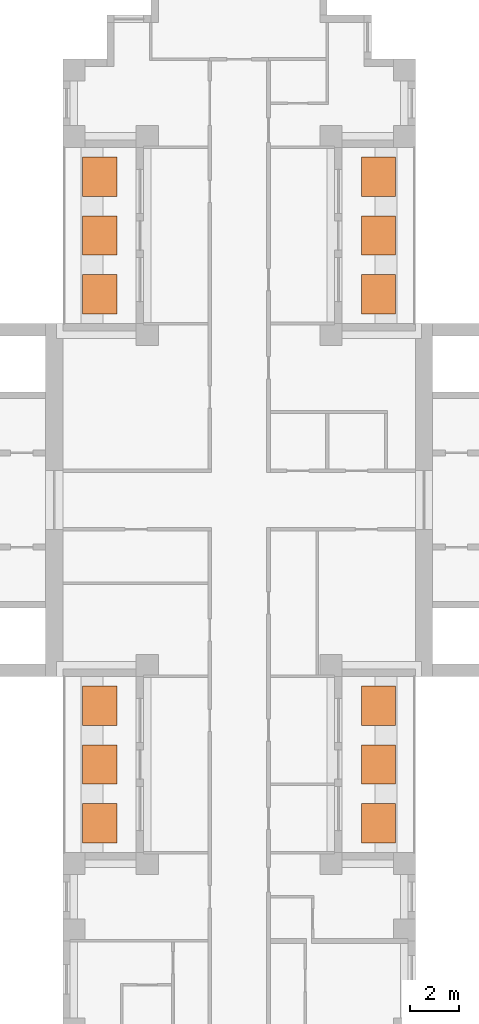
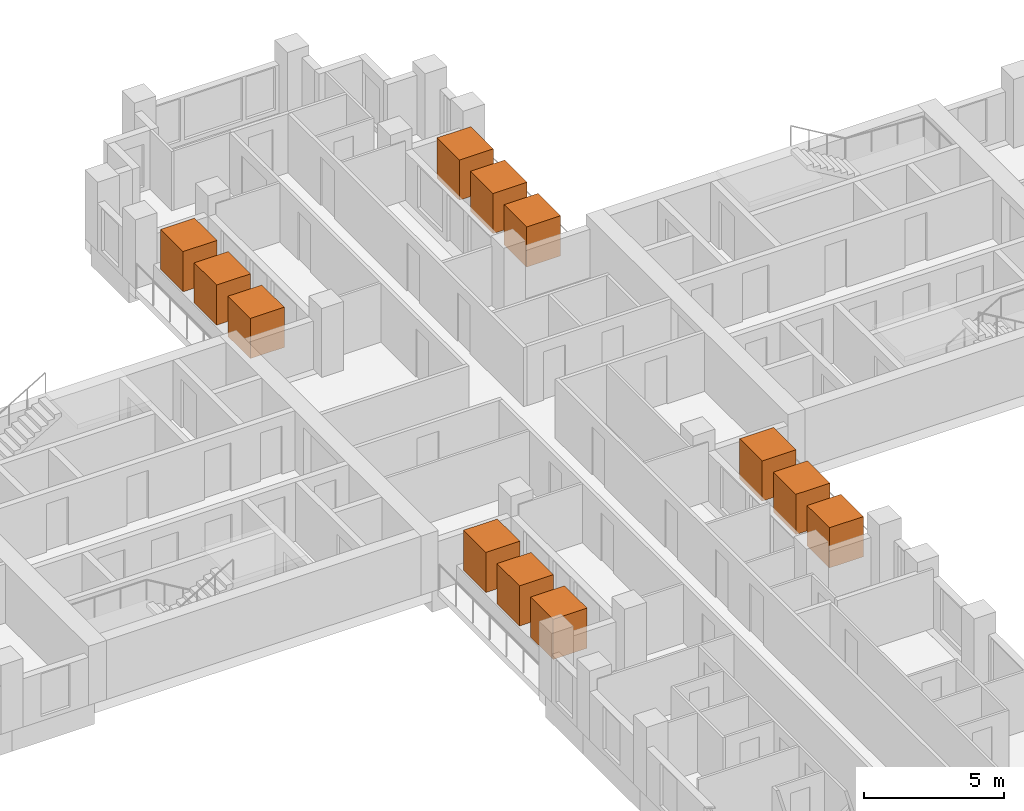
# One storey, part 13 of 13: 12 geographic elements.
"""IFC4 building model written with IfcOpenShell, lengths in metres."""

from ifc_helpers import new_model, si_unit, direction, frame, origin, origin_2d, place, context, subcontext, project, spatial, rectangle, extrude, material, element, save


model = new_model("IFC4")

# Units and contexts
model_context = context("Model", 3, precision=1e-05, world=origin(), true_north=direction((0.0, 1.0)))
body_context = subcontext(model_context, "Body", "Model", "MODEL_VIEW")
ifc_project = project(units=[si_unit("LENGTHUNIT", "METRE"), si_unit("AREAUNIT", "SQUARE_METRE"), si_unit("VOLUMEUNIT", "CUBIC_METRE"), si_unit("PLANEANGLEUNIT", "RADIAN"), si_unit("MASSUNIT", "GRAM", prefix="KILO")], contexts=[model_context])

# Site, building, storey
site_placement = place(None, origin())
site = spatial("IfcSite", under=ifc_project, at=site_placement, CompositionType="ELEMENT")
building_placement = place(site_placement, origin())
building = spatial("IfcBuilding", under=site, at=building_placement, Name="Fustian Cross Tower", CompositionType="ELEMENT")
storey_placement = place(building_placement, frame((0.0, 0.0, 84.89990234375)))
storey = spatial("IfcBuildingStorey", under=building, at=storey_placement, Name="L26", CompositionType="ELEMENT", Elevation=84.89990234375)

# Geographic elements
ifc_material = material(Name="Evergreen foliage")
for number, where, z_axis, x_axis, name in (
    (1, (5.68994140625, 8.39990234375, 0.800048828125), (0.0, 0.0, 1.0), (1.0, 0.0, 0.0), "TREE field maple"),
    (2, (5.68994140625, 10.800048828125, 0.800048828125), (0.0, 0.0, 1.0), (1.0, 0.0, 0.0), "TREE field maple"),
    (3, (5.68994140625, 13.199951171875, 0.800048828125), (0.0, 0.0, 1.0), (1.0, 0.0, 0.0), "TREE field maple"),
    (4, (-5.68994140625, 8.39990234375, 0.800048828125), (0.0, 0.0, 1.0), (1.0, 0.0, 0.0), "TREE field maple"),
    (5, (-5.68994140625, 10.800048828125, 0.800048828125), (0.0, 0.0, 1.0), (1.0, 0.0, 0.0), "TREE field maple"),
    (6, (-5.68994140625, 13.199951171875, 0.800048828125), (0.0, 0.0, 1.0), (1.0, 0.0, 0.0), "TREE field maple"),
    (7, (5.68994140625, -13.199951171875, 0.800048828125), (0.0, 0.0, 1.0), (1.0, 0.0, 0.0), "TREE field maple"),
    (8, (5.68994140625, -10.800048828125, 0.800048828125), (0.0, 0.0, 1.0), (1.0, 0.0, 0.0), "TREE field maple"),
    (9, (5.68994140625, -8.39990234375, 0.800048828125), (0.0, 0.0, 1.0), (1.0, 0.0, 0.0), "TREE field maple"),
    (10, (-5.68994140625, -13.199951171875, 0.800048828125), (0.0, 0.0, 1.0), (1.0, 0.0, 0.0), "TREE field maple"),
    (11, (-5.68994140625, -10.800048828125, 0.800048828125), (0.0, 0.0, 1.0), (1.0, 0.0, 0.0), "TREE field maple"),
    (12, (-5.68994140625, -8.39990234375, 0.800048828125), (0.0, 0.0, 1.0), (1.0, 0.0, 0.0), "TREE field maple"),
):
    element("IfcGeographicElement", number, at=place(storey_placement, frame(where, z_axis=z_axis, x_axis=x_axis)), inside=storey, material=ifc_material, Name=name, ObjectType="VEGETATION", PredefinedType="USERDEFINED", context=body_context, shape_type="SweptSolid", body=[
        extrude(rectangle(XDim=1.39990234375, YDim=1.60009765625, at=origin_2d()), origin(), (0.0, 0.0, 1.0), 1.75),
    ])

save(model, "model.ifc")
